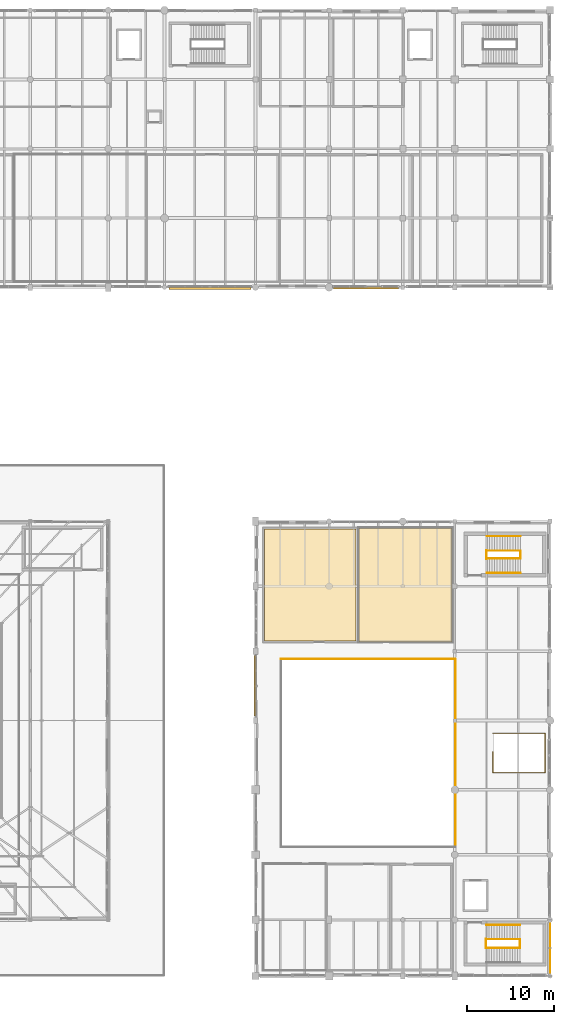
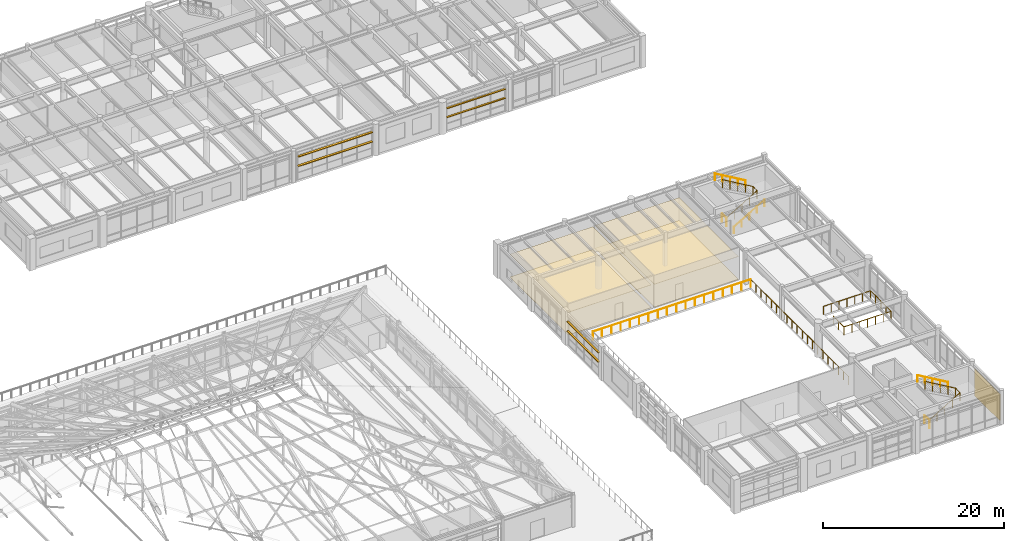
# One storey, part 167 of 168: 10 railings, 6 shading devices, 5 coverings.
"""IFC4 building model written with IfcOpenShell, lengths in metres."""

import ifcopenshell
import ifcopenshell.guid

model = None  # the IFC model being written
_history = None  # IfcOwnerHistory: only IFC2X3 demands one
_inside = {}  # id of a spatial element -> (the spatial element, [elements in it])
_under = {}  # id of a project, library or spatial element -> (it, [spatial elements below it])
_declared = {}  # id of a project -> (the project, [libraries it declares])
_typed = {}  # id of a type object -> (the type object, [elements of that type])
_made_of = {}  # id of a material, layer set ... -> (it, [elements and type objects made of it])


def new_model(schema):
    """Start an empty IFC model of exactly this schema.

    Asked for "IFC4X3", IfcOpenShell would pick the latest addendum, in which some entities
    have other attributes; the version numbers below select the first issue.
    IFC2X3 requires an IfcOwnerHistory on every rooted entity: one is made here for all.
    """
    global model, _history
    if schema == "IFC4X3":
        model = ifcopenshell.file(schema_version=(4, 3, 0, 0))
    else:
        model = ifcopenshell.file(schema=schema)
    _inside.clear()
    _under.clear()
    _declared.clear()
    _typed.clear()
    _made_of.clear()
    _history = None
    if model.schema == "IFC2X3":
        org = make("IfcOrganization", Name="unknown")
        user = make(
            "IfcPersonAndOrganization",
            ThePerson=make("IfcPerson", FamilyName="unknown"),
            TheOrganization=org,
        )
        app = make(
            "IfcApplication",
            ApplicationDeveloper=org,
            Version="unknown",
            ApplicationFullName="unknown",
            ApplicationIdentifier="unknown",
        )
        _history = make(
            "IfcOwnerHistory",
            OwningUser=user,
            OwningApplication=app,
            ChangeAction="ADDED",
            CreationDate=0,
        )
    return model


def make(cls, **values):
    """One entity of the class cls with the attributes given. An attribute that is None is left unset."""
    return model.create_entity(
        cls, **{name: value for name, value in values.items() if value is not None}
    )


def rooted(cls, **values):
    """An entity with a GlobalId (a new one), such as an element, a storey or a relation."""
    return make(cls, GlobalId=ifcopenshell.guid.new(), OwnerHistory=_history, **values)


def si_unit(unit_type, name, prefix=None):
    """IfcSIUnit, for example si_unit("LENGTHUNIT", "METRE", prefix="MILLI")."""
    return make("IfcSIUnit", UnitType=unit_type, Prefix=prefix, Name=name)


def assignment(units):
    """IfcUnitAssignment: the units of a project."""
    return None if units is None else make("IfcUnitAssignment", Units=units)


def point(xyz):
    """IfcCartesianPoint."""
    return None if xyz is None else make("IfcCartesianPoint", Coordinates=xyz)


def direction(xyz):
    """IfcDirection."""
    return None if xyz is None else make("IfcDirection", DirectionRatios=xyz)


def frame(location, z_axis=None, x_axis=None):
    """IfcAxis2Placement3D, a coordinate frame: its origin and axes. An axis left out is left unset."""
    return make(
        "IfcAxis2Placement3D",
        Location=point(location),
        Axis=direction(z_axis),
        RefDirection=direction(x_axis),
    )


def frame_2d(location, x_axis=None):
    """IfcAxis2Placement2D, a coordinate frame in the plane: its origin and x axis."""
    return make(
        "IfcAxis2Placement2D", Location=point(location), RefDirection=direction(x_axis)
    )


def origin():
    """The frame at (0, 0, 0) with its axes left unset."""
    return frame((0.0, 0.0, 0.0))


def origin_2d():
    """The frame at (0, 0) in the plane with its x axis left unset."""
    return frame_2d((0.0, 0.0))


def place(relative_to, where):
    """IfcLocalPlacement: puts the frame where relative to a parent placement (None: the world)."""
    return make(
        "IfcLocalPlacement", PlacementRelTo=relative_to, RelativePlacement=where
    )


def context(
    kind, dimensions, precision=None, world=None, true_north=None, identifier=None
):
    """IfcGeometricRepresentationContext, for example the 3D "Model" context."""
    return make(
        "IfcGeometricRepresentationContext",
        ContextIdentifier=identifier,
        ContextType=kind,
        CoordinateSpaceDimension=dimensions,
        Precision=precision,
        WorldCoordinateSystem=world,
        TrueNorth=true_north,
    )


def subcontext(parent, identifier, kind, view, scale=None):
    """IfcGeometricRepresentationSubContext, for example "Body" below "Model"."""
    return make(
        "IfcGeometricRepresentationSubContext",
        ContextIdentifier=identifier,
        ContextType=kind,
        ParentContext=parent,
        TargetScale=scale,
        TargetView=view,
    )


def project(units=None, contexts=None):
    """IfcProject with its units and contexts."""
    return rooted(
        "IfcProject",
        Name="project",
        RepresentationContexts=contexts,
        UnitsInContext=assignment(units),
    )


def spatial(cls, under=None, at=None, **own):
    """A site, building, storey or space (cls), placed at a placement, below another one or the project."""
    s = rooted(cls, ObjectPlacement=at, **own)
    if under is not None:
        _under.setdefault(under.id(), (under, []))[1].append(s)
    return s


def polyline(points):
    """IfcPolyline through the points."""
    return make("IfcPolyline", Points=[point(p) for p in points])


def profile(cls, at=None, kind="AREA", **sizes):
    """A parametric profile (cls). Its sizes go by their IFC names, for example OverallWidth=200.0."""
    return make(cls, ProfileType=kind, Position=at, **sizes)


def rectangle(**sizes):
    """IfcRectangleProfileDef."""
    return profile("IfcRectangleProfileDef", **sizes)


def circle(**sizes):
    """IfcCircleProfileDef."""
    return profile("IfcCircleProfileDef", **sizes)


def outline(outer, holes=None, kind="AREA"):
    """IfcArbitraryClosedProfileDef: a profile drawn as a closed curve; with holes, ...WithVoids."""
    if holes is None:
        return make("IfcArbitraryClosedProfileDef", ProfileType=kind, OuterCurve=outer)
    return make(
        "IfcArbitraryProfileDefWithVoids",
        ProfileType=kind,
        OuterCurve=outer,
        InnerCurves=holes,
    )


def extrude(swept, where, along, depth):
    """IfcExtrudedAreaSolid: the profile swept, set in the frame where, extruded along a direction by depth."""
    return make(
        "IfcExtrudedAreaSolid",
        SweptArea=swept,
        Position=where,
        ExtrudedDirection=direction(along),
        Depth=depth,
    )


def shape(context_of_items, identifier, shape_type, items):
    """IfcShapeRepresentation: the items that make up one representation, for example the "Body"."""
    return make(
        "IfcShapeRepresentation",
        ContextOfItems=context_of_items,
        RepresentationIdentifier=identifier,
        RepresentationType=shape_type,
        Items=items,
    )


def material(Name=None, Category=None):
    """IfcMaterial."""
    return make("IfcMaterial", Name=Name, Category=Category)


def layer(
    of_material, thickness, ventilated=None, Name=None, Category=None, Priority=None
):
    """IfcMaterialLayer: one layer of a wall or slab, of a material (None: an air gap)."""
    return make(
        "IfcMaterialLayer",
        Material=of_material,
        LayerThickness=thickness,
        IsVentilated=ventilated,
        Name=Name,
        Category=Category,
        Priority=Priority,
    )


def layer_set(layers, Name=None):
    """IfcMaterialLayerSet."""
    return make("IfcMaterialLayerSet", MaterialLayers=layers, LayerSetName=Name)


def made_of(thing, what):
    """Note that an element or type object is made of a material, layer set ...; save() writes the relation."""
    if what is not None:
        _made_of.setdefault(what.id(), (what, []))[1].append(thing)
    return thing


def type_object(cls, material=None, **own):
    """A type object (cls), such as IfcWallType, which elements share."""
    return made_of(rooted(cls, **own), material)


def element(
    cls,
    number,
    at=None,
    inside=None,
    cuts=None,
    type_object=None,
    material=None,
    context=None,
    identifier="Body",
    shape_type=None,
    held_by="IfcProductDefinitionShape",
    body=None,
    shapes=None,
    **own,
):
    """One element of the class cls, such as IfcWall. Its Tag is "e" and its number.

    at: its placement. inside: the storey or other place that contains it. cuts: it is an
    opening in that element (IfcRelVoidsElement). A single representation is given by context,
    identifier, shape_type and body (its items); several are given by shapes. held_by: the class
    of the entity that holds the representations. save() writes the other relations.
    """
    e = rooted(cls, Tag="e%d" % number, ObjectPlacement=at, **own)
    if body is not None:
        shapes = [shape(context, identifier, shape_type, body)]
    if shapes is not None:
        e.Representation = make(held_by, Representations=shapes)
    if inside is not None:
        _inside.setdefault(inside.id(), (inside, []))[1].append(e)
    if cuts is not None:
        rooted(
            "IfcRelVoidsElement", RelatingBuildingElement=cuts, RelatedOpeningElement=e
        )
    if type_object is not None:
        _typed.setdefault(type_object.id(), (type_object, []))[1].append(e)
    return made_of(e, material)


def aggregate(whole, parts):
    """IfcRelAggregates: a whole, such as a stair, and the parts it consists of."""
    return rooted("IfcRelAggregates", RelatingObject=whole, RelatedObjects=parts)


def save(model, path):
    """Write the relations noted so far, then the file.

    IfcRelAggregates (storeys below a building ...), IfcRelContainedInSpatialStructure (elements
    in a storey), IfcRelDefinesByType, IfcRelAssociatesMaterial and IfcRelDeclares: one each for
    every whole, place, type object, material and project.
    """
    for whole, parts in _under.values():
        aggregate(whole, parts)
    for where, things in _inside.values():
        rooted(
            "IfcRelContainedInSpatialStructure",
            RelatedElements=things,
            RelatingStructure=where,
        )
    for kind, things in _typed.values():
        rooted("IfcRelDefinesByType", RelatedObjects=things, RelatingType=kind)
    for what, things in _made_of.values():
        rooted("IfcRelAssociatesMaterial", RelatedObjects=things, RelatingMaterial=what)
    for by, libraries in _declared.values():
        rooted("IfcRelDeclares", RelatingContext=by, RelatedDefinitions=libraries)
    model.write(path)


model = new_model("IFC4")

# Units and contexts
model_context = context("Model", 3, precision=1e-05, world=origin(), true_north=direction((0.0, 1.0)))
body_context = subcontext(model_context, "Body", "Model", "MODEL_VIEW")
ifc_project = project(units=[si_unit("LENGTHUNIT", "METRE"), si_unit("AREAUNIT", "SQUARE_METRE"), si_unit("VOLUMEUNIT", "CUBIC_METRE"), si_unit("PLANEANGLEUNIT", "RADIAN"), si_unit("MASSUNIT", "GRAM", prefix="KILO"), si_unit("THERMODYNAMICTEMPERATUREUNIT", "KELVIN"), si_unit("POWERUNIT", "WATT")], contexts=[model_context])

# Site, building, storey
site_placement = place(None, origin())
site = spatial("IfcSite", under=ifc_project, at=site_placement, CompositionType="ELEMENT")
building_placement = place(site_placement, origin())
building = spatial("IfcBuilding", under=site, at=building_placement, Name="Tepalcoro Natatorium and Aquatics Centre", CompositionType="ELEMENT")
storey_placement = place(building_placement, frame((0.0, 0.0, 10.199951171875)))
storey = spatial("IfcBuildingStorey", under=building, at=storey_placement, Name="L02", CompositionType="ELEMENT", Elevation=10.199951171875)

# Railings
ifc_material_1 = material(Name="Bronze-Anodised Extruded Aluminium Alloy EN AW-6063 T6", Category="aluminium")
railing_type_1 = type_object("IfcRailingType", Name="BL_BRONZE_1100", PredefinedType="BALUSTRADE", material=ifc_material_1)
railing_1_placement = place(storey_placement, frame((165.080078125, 21.419921875, 0.0)))
element("IfcRailing", 1, at=railing_1_placement, inside=storey, type_object=railing_type_1, Name="V2 L02 Diving Well Gallery Balustrade (E)", PredefinedType="BALUSTRADE", context=body_context, shape_type="SweptSolid", body=[
    extrude(circle(Radius=0.02392578125, at=origin_2d()), frame((0.0, 0.0, 1.076171875), z_axis=(0.0, 1.0, 0.0), x_axis=(-1.0, 0.0, 0.0)), (0.0, 0.0, 1.0), 21.66015625),
    extrude(circle(Radius=0.02099609375, at=origin_2d()), origin(), (0.0, 0.0, 1.0), 1.052001953125),
    extrude(circle(Radius=0.02099609375, at=origin_2d()), frame((0.0, 1.139892578125, 0.0)), (0.0, 0.0, 1.0), 1.052001953125),
    extrude(circle(Radius=0.02099609375, at=origin_2d()), frame((0.0, 2.280029296875, 0.0)), (0.0, 0.0, 1.0), 1.052001953125),
    extrude(circle(Radius=0.02099609375, at=origin_2d()), frame((0.0, 3.419921875, 0.0)), (0.0, 0.0, 1.0), 1.052001953125),
    extrude(circle(Radius=0.02099609375, at=origin_2d()), frame((0.0, 4.56005859375, 0.0)), (0.0, 0.0, 1.0), 1.052001953125),
    extrude(circle(Radius=0.02099609375, at=origin_2d()), frame((0.0, 5.699951171875, 0.0)), (0.0, 0.0, 1.0), 1.052001953125),
    extrude(circle(Radius=0.02099609375, at=origin_2d()), frame((0.0, 6.840087890625, 0.0)), (0.0, 0.0, 1.0), 1.052001953125),
    extrude(circle(Radius=0.02099609375, at=origin_2d()), frame((0.0, 7.97998046875, 0.0)), (0.0, 0.0, 1.0), 1.052001953125),
    extrude(circle(Radius=0.02099609375, at=origin_2d()), frame((0.0, 9.1201171875, 0.0)), (0.0, 0.0, 1.0), 1.052001953125),
    extrude(circle(Radius=0.02099609375, at=origin_2d()), frame((0.0, 10.260009765625, 0.0)), (0.0, 0.0, 1.0), 1.052001953125),
    extrude(circle(Radius=0.02099609375, at=origin_2d()), frame((0.0, 11.400146484375, 0.0)), (0.0, 0.0, 1.0), 1.052001953125),
    extrude(circle(Radius=0.02099609375, at=origin_2d()), frame((0.0, 12.5400390625, 0.0)), (0.0, 0.0, 1.0), 1.052001953125),
    extrude(circle(Radius=0.02099609375, at=origin_2d()), frame((0.0, 13.68017578125, 0.0)), (0.0, 0.0, 1.0), 1.052001953125),
    extrude(circle(Radius=0.02099609375, at=origin_2d()), frame((0.0, 14.820068359375, 0.0)), (0.0, 0.0, 1.0), 1.052001953125),
    extrude(circle(Radius=0.02099609375, at=origin_2d()), frame((0.0, 15.960205078125, 0.0)), (0.0, 0.0, 1.0), 1.052001953125),
    extrude(circle(Radius=0.02099609375, at=origin_2d()), frame((0.0, 17.10009765625, 0.0)), (0.0, 0.0, 1.0), 1.052001953125),
    extrude(circle(Radius=0.02099609375, at=origin_2d()), frame((0.0, 18.240234375, 0.0)), (0.0, 0.0, 1.0), 1.052001953125),
    extrude(circle(Radius=0.02099609375, at=origin_2d()), frame((0.0, 19.380126953125, 0.0)), (0.0, 0.0, 1.0), 1.052001953125),
    extrude(circle(Radius=0.02099609375, at=origin_2d()), frame((0.0, 20.520263671875, 0.0)), (0.0, 0.0, 1.0), 1.052001953125),
    extrude(circle(Radius=0.02099609375, at=origin_2d()), frame((0.0, 21.66015625, 0.0)), (0.0, 0.0, 1.0), 1.052001953125),
])
railing_2_placement = place(storey_placement, frame((165.080078125, 43.080078125, 0.0)))
element("IfcRailing", 2, at=railing_2_placement, inside=storey, type_object=railing_type_1, Name="V2 L02 Diving Well Gallery Balustrade (N)", PredefinedType="BALUSTRADE", context=body_context, shape_type="SweptSolid", body=[
    extrude(circle(Radius=0.02392578125, at=origin_2d()), frame((0.0, 0.0, 1.076171875), z_axis=(-1.0, 0.0, 0.0), x_axis=(0.0, -1.0, 0.0)), (0.0, 0.0, 1.0), 20.16015625),
    extrude(circle(Radius=0.02099609375, at=origin_2d()), origin(), (0.0, 0.0, 1.0), 1.052001953125),
    extrude(circle(Radius=0.02099609375, at=origin_2d()), frame((-1.185791015625, 0.0, 0.0)), (0.0, 0.0, 1.0), 1.052001953125),
    extrude(circle(Radius=0.02099609375, at=origin_2d()), frame((-2.371826171875, 0.0, 0.0)), (0.0, 0.0, 1.0), 1.052001953125),
    extrude(circle(Radius=0.02099609375, at=origin_2d()), frame((-3.5576171875, 0.0, 0.0)), (0.0, 0.0, 1.0), 1.052001953125),
    extrude(circle(Radius=0.02099609375, at=origin_2d()), frame((-4.74365234375, 0.0, 0.0)), (0.0, 0.0, 1.0), 1.052001953125),
    extrude(circle(Radius=0.02099609375, at=origin_2d()), frame((-5.929443359375, 0.0, 0.0)), (0.0, 0.0, 1.0), 1.052001953125),
    extrude(circle(Radius=0.02099609375, at=origin_2d()), frame((-7.115234375, 0.0, 0.0)), (0.0, 0.0, 1.0), 1.052001953125),
    extrude(circle(Radius=0.02099609375, at=origin_2d()), frame((-8.30126953125, 0.0, 0.0)), (0.0, 0.0, 1.0), 1.052001953125),
    extrude(circle(Radius=0.02099609375, at=origin_2d()), frame((-9.487060546875, 0.0, 0.0)), (0.0, 0.0, 1.0), 1.052001953125),
    extrude(circle(Radius=0.02099609375, at=origin_2d()), frame((-10.673095703125, 0.0, 0.0)), (0.0, 0.0, 1.0), 1.052001953125),
    extrude(circle(Radius=0.02099609375, at=origin_2d()), frame((-11.85888671875, 0.0, 0.0)), (0.0, 0.0, 1.0), 1.052001953125),
    extrude(circle(Radius=0.02099609375, at=origin_2d()), frame((-13.044921875, 0.0, 0.0)), (0.0, 0.0, 1.0), 1.052001953125),
    extrude(circle(Radius=0.02099609375, at=origin_2d()), frame((-14.230712890625, 0.0, 0.0)), (0.0, 0.0, 1.0), 1.052001953125),
    extrude(circle(Radius=0.02099609375, at=origin_2d()), frame((-15.41650390625, 0.0, 0.0)), (0.0, 0.0, 1.0), 1.052001953125),
    extrude(circle(Radius=0.02099609375, at=origin_2d()), frame((-16.6025390625, 0.0, 0.0)), (0.0, 0.0, 1.0), 1.052001953125),
    extrude(circle(Radius=0.02099609375, at=origin_2d()), frame((-17.788330078125, 0.0, 0.0)), (0.0, 0.0, 1.0), 1.052001953125),
    extrude(circle(Radius=0.02099609375, at=origin_2d()), frame((-18.974365234375, 0.0, 0.0)), (0.0, 0.0, 1.0), 1.052001953125),
    extrude(circle(Radius=0.02099609375, at=origin_2d()), frame((-20.16015625, 0.0, 0.0)), (0.0, 0.0, 1.0), 1.052001953125),
])

# Coverings
ifc_material_2 = material(Name="Jalisco Cantera Rosa Volcanic Tuff Ashlar Masonry", Category="masonry")
ifc_layer_1 = layer(ifc_material_2, 0.050048828125)
ifc_layer_set_1 = layer_set([ifc_layer_1], Name="Jalisco Cantera Rosa Volcanic Tuff Ashlar Masonry")
covering_type_1 = type_object("IfcCoveringType", Name="CD_TERRACOTTA_50", PredefinedType="CLADDING", material=ifc_layer_set_1)
covering_1_placement = place(storey_placement, frame((176.02001953125, 9.72509765625, 0.10009765625), z_axis=(0.0, 0.0, 1.0), x_axis=(1.0, 0.0, 0.0)))
element("IfcCovering", 3, at=covering_1_placement, inside=storey, type_object=covering_type_1, Name="Volcanic Stone Facade Cladding CD_TERRACOTTA_50", PredefinedType="CLADDING", context=body_context, shape_type="SweptSolid", body=[
    extrude(rectangle(XDim=0.050048828125, YDim=5.64208984375, at=origin_2d()), origin(), (0.0, 0.0, 1.0), 3.614013671875),
])
ifc_material_3 = material(Name="Perforated Corrosion-Resistant Acoustic Aluminium Baffle Ceiling", Category="aluminium")
ifc_layer_2 = layer(ifc_material_3, 0.044921875)
ifc_layer_set_2 = layer_set([ifc_layer_2], Name="Perforated Corrosion-Resistant Acoustic Aluminium Baffle Ceiling")
covering_type_2 = type_object("IfcCoveringType", Name="CL_BAFFLE_120", PredefinedType="CEILING", material=ifc_layer_set_2)
covering_2_placement = place(storey_placement, frame((0.0, 0.0, 3.050048828125)))
element("IfcCovering", 4, at=covering_2_placement, inside=storey, type_object=covering_type_2, Name="Diving Sports Psychology & Quiet Focus Room Suspended Ceiling", PredefinedType="CEILING", context=body_context, shape_type="SweptSolid", body=[
    extrude(outline(polyline([(153.929931640625, 45.090087890625), (153.929931640625, 58.2099609375), (164.669921875, 58.2099609375), (164.669921875, 45.090087890625), (153.929931640625, 45.090087890625)])), origin(), (0.0, 0.0, 1.0), 0.044921875),
])
ifc_layer_3 = layer(ifc_material_3, 0.0400390625)
ifc_layer_set_3 = layer_set([ifc_layer_3], Name="Perforated Corrosion-Resistant Acoustic Aluminium Baffle Ceiling")
covering_type_3 = type_object("IfcCoveringType", Name="CL_PERF_AL_40", PredefinedType="CEILING", material=ifc_layer_set_3)
covering_3_placement = place(storey_placement, frame((0.0, 0.0, 3.050048828125)))
element("IfcCovering", 5, at=covering_3_placement, inside=storey, type_object=covering_type_3, Name="Platform Judges Elevated Sightline Lounge Suspended Ceiling", PredefinedType="CEILING", context=body_context, shape_type="SweptSolid", body=[
    extrude(outline(polyline([(143.010009765625, 45.169921875), (143.010009765625, 58.1298828125), (153.590087890625, 58.1298828125), (153.590087890625, 45.169921875), (143.010009765625, 45.169921875)])), origin(), (0.0, 0.0, 1.0), 0.0400390625),
])
ifc_material_4 = material(Name="Shock-Absorbing Vulcanised Athletic Rubber Flooring")
ifc_layer_4 = layer(ifc_material_4, 0.010009765625)
ifc_layer_set_4 = layer_set([ifc_layer_4], Name="Shock-Absorbing Vulcanised Athletic Rubber Flooring")
covering_type_4 = type_object("IfcCoveringType", Name="FL_CARPET_10", PredefinedType="FLOORING", material=ifc_layer_set_4)
covering_4_placement = place(storey_placement, origin())
element("IfcCovering", 6, at=covering_4_placement, inside=storey, type_object=covering_type_4, Name="Diving Sports Psychology & Quiet Focus Room Floor Finish", PredefinedType="FLOORING", context=body_context, shape_type="SweptSolid", body=[
    extrude(outline(polyline([(153.929931640625, 45.090087890625), (153.929931640625, 58.2099609375), (164.669921875, 58.2099609375), (164.669921875, 45.090087890625), (153.929931640625, 45.090087890625)])), origin(), (0.0, 0.0, 1.0), 0.010009765625),
])
ifc_material_5 = material(Name="Chemical-Resistant Quartz-Broadcast Epoxy Flooring")
ifc_layer_5 = layer(ifc_material_5, 0.008056640625)
ifc_layer_set_5 = layer_set([ifc_layer_5], Name="Chemical-Resistant Quartz-Broadcast Epoxy Flooring")
covering_type_5 = type_object("IfcCoveringType", Name="FL_EPOXY_8", PredefinedType="FLOORING", material=ifc_layer_set_5)
covering_5_placement = place(storey_placement, origin())
element("IfcCovering", 7, at=covering_5_placement, inside=storey, type_object=covering_type_5, Name="Platform Judges Elevated Sightline Lounge Floor Finish", PredefinedType="FLOORING", context=body_context, shape_type="SweptSolid", body=[
    extrude(outline(polyline([(143.010009765625, 45.169921875), (143.010009765625, 58.1298828125), (153.590087890625, 58.1298828125), (153.590087890625, 45.169921875), (143.010009765625, 45.169921875)])), origin(), (0.0, 0.0, 1.0), 0.008056640625),
])

# Railings
ifc_material_6 = material(Name="Marine-Grade Brushed Stainless Steel AISI 316L", Category="steel")
railing_type_2 = type_object("IfcRailingType", Name="RL_GLASS_1100", PredefinedType="GUARDRAIL", material=ifc_material_6)
railing_3_placement = place(storey_placement, frame((169.419921875, 32.35009765625, 0.0)))
element("IfcRailing", 8, at=railing_3_placement, inside=storey, type_object=railing_type_2, Name="ST25 Diving Stair L02 Well Guardrail", PredefinedType="GUARDRAIL", context=body_context, shape_type="SweptSolid", body=[
    extrude(circle(Radius=0.02392578125, at=origin_2d()), frame((0.0, 0.0, 1.09619140625), z_axis=(0.0, -1.0, 0.0), x_axis=(1.0, 0.0, 0.0)), (0.0, 0.0, 1.0), 2.380126953125),
    extrude(circle(Radius=0.02392578125, at=origin_2d()), frame((0.0, -2.380126953125, 1.09619140625), z_axis=(1.0, 0.0, 0.0), x_axis=(0.0, 1.0, 0.0)), (0.0, 0.0, 1.0), 6.010009765625),
    extrude(circle(Radius=0.02392578125, at=origin_2d()), frame((6.010009765625, -2.380126953125, 1.09619140625), z_axis=(0.0, 1.0, 0.0), x_axis=(-1.0, 0.0, 0.0)), (0.0, 0.0, 1.0), 4.56005859375),
    extrude(circle(Radius=0.02392578125, at=origin_2d()), frame((6.010009765625, 2.179931640625, 1.09619140625), z_axis=(-1.0, 0.0, 0.0), x_axis=(0.0, -1.0, 0.0)), (0.0, 0.0, 1.0), 6.010009765625),
    extrude(circle(Radius=0.02099609375, at=origin_2d()), origin(), (0.0, 0.0, 1.0), 1.072021484375),
    extrude(circle(Radius=0.02099609375, at=origin_2d()), frame((0.0, -1.18994140625, 0.0)), (0.0, 0.0, 1.0), 1.072021484375),
    extrude(circle(Radius=0.02099609375, at=origin_2d()), frame((0.0, -2.380126953125, 0.0)), (0.0, 0.0, 1.0), 1.072021484375),
    extrude(circle(Radius=0.02099609375, at=origin_2d()), frame((1.001708984375, -2.380126953125, 0.0)), (0.0, 0.0, 1.0), 1.072021484375),
    extrude(circle(Radius=0.02099609375, at=origin_2d()), frame((2.00341796875, -2.380126953125, 0.0)), (0.0, 0.0, 1.0), 1.072021484375),
    extrude(circle(Radius=0.02099609375, at=origin_2d()), frame((3.0048828125, -2.380126953125, 0.0)), (0.0, 0.0, 1.0), 1.072021484375),
    extrude(circle(Radius=0.02099609375, at=origin_2d()), frame((4.006591796875, -2.380126953125, 0.0)), (0.0, 0.0, 1.0), 1.072021484375),
    extrude(circle(Radius=0.02099609375, at=origin_2d()), frame((5.00830078125, -2.380126953125, 0.0)), (0.0, 0.0, 1.0), 1.072021484375),
    extrude(circle(Radius=0.02099609375, at=origin_2d()), frame((6.010009765625, -2.380126953125, 0.0)), (0.0, 0.0, 1.0), 1.072021484375),
    extrude(circle(Radius=0.02099609375, at=origin_2d()), frame((6.010009765625, -1.240234375, 0.0)), (0.0, 0.0, 1.0), 1.072021484375),
    extrude(circle(Radius=0.02099609375, at=origin_2d()), frame((6.010009765625, -0.10009765625, 0.0)), (0.0, 0.0, 1.0), 1.072021484375),
    extrude(circle(Radius=0.02099609375, at=origin_2d()), frame((6.010009765625, 1.0400390625, 0.0)), (0.0, 0.0, 1.0), 1.072021484375),
    extrude(circle(Radius=0.02099609375, at=origin_2d()), frame((6.010009765625, 2.179931640625, 0.0)), (0.0, 0.0, 1.0), 1.072021484375),
    extrude(circle(Radius=0.02099609375, at=origin_2d()), frame((5.00830078125, 2.179931640625, 0.0)), (0.0, 0.0, 1.0), 1.072021484375),
    extrude(circle(Radius=0.02099609375, at=origin_2d()), frame((4.006591796875, 2.179931640625, 0.0)), (0.0, 0.0, 1.0), 1.072021484375),
    extrude(circle(Radius=0.02099609375, at=origin_2d()), frame((3.0048828125, 2.179931640625, 0.0)), (0.0, 0.0, 1.0), 1.072021484375),
    extrude(circle(Radius=0.02099609375, at=origin_2d()), frame((2.00341796875, 2.179931640625, 0.0)), (0.0, 0.0, 1.0), 1.072021484375),
    extrude(circle(Radius=0.02099609375, at=origin_2d()), frame((1.001708984375, 2.179931640625, 0.0)), (0.0, 0.0, 1.0), 1.072021484375),
    extrude(circle(Radius=0.02099609375, at=origin_2d()), frame((0.0, 2.179931640625, 0.0)), (0.0, 0.0, 1.0), 1.072021484375),
])
railing_type_3 = type_object("IfcRailingType", Name="RL_HAND_900_BRZ", PredefinedType="HANDRAIL", material=ifc_material_1)
railing_4_placement = place(storey_placement, frame((172.550048828125, 12.419921875, 2.300048828125)))
element("IfcRailing", 9, at=railing_4_placement, inside=storey, type_object=railing_type_3, Name="ST03-L02 Wall Handrail F2", PredefinedType="HANDRAIL", context=body_context, shape_type="SweptSolid", body=[
    extrude(circle(Radius=0.02392578125, at=origin_2d()), frame((0.0, 0.0, 0.8759765625), z_axis=(-0.861369533088, 0.0, 0.507978865178), x_axis=(0.0, -1.0, 0.0)), (0.0, 0.0, 1.0), 4.52783203125),
    extrude(circle(Radius=0.02099609375, at=origin_2d()), origin(), (0.0, 0.0, 1.0), 0.851806640625),
    extrude(circle(Radius=0.02099609375, at=origin_2d()), frame((-0.97509765625, 0.0, 0.574951171875)), (0.0, 0.0, 1.0), 0.851806640625),
    extrude(circle(Radius=0.02099609375, at=origin_2d()), frame((-1.9501953125, 0.0, 1.14990234375)), (0.0, 0.0, 1.0), 0.851806640625),
    extrude(circle(Radius=0.02099609375, at=origin_2d()), frame((-2.925048828125, 0.0, 1.72509765625)), (0.0, 0.0, 1.0), 0.851806640625),
    extrude(circle(Radius=0.02099609375, at=origin_2d()), frame((-3.900146484375, 0.0, 2.300048828125)), (0.0, 0.0, 1.0), 0.851806640625),
])
railing_5_placement = place(storey_placement, frame((168.699951171875, 53.030029296875, 0.0)))
element("IfcRailing", 10, at=railing_5_placement, inside=storey, type_object=railing_type_3, Name="ST04-L02 Wall Handrail F1", PredefinedType="HANDRAIL", context=body_context, shape_type="SweptSolid", body=[
    extrude(circle(Radius=0.02392578125, at=origin_2d()), frame((0.0, 0.0, 0.8759765625), z_axis=(0.861369533088, 0.0, 0.507978865178), x_axis=(0.0, 1.0, 0.0)), (0.0, 0.0, 1.0), 4.52783203125),
    extrude(circle(Radius=0.02099609375, at=origin_2d()), origin(), (0.0, 0.0, 1.0), 0.851806640625),
    extrude(circle(Radius=0.02099609375, at=origin_2d()), frame((0.97509765625, 0.0, 0.574951171875)), (0.0, 0.0, 1.0), 0.851806640625),
    extrude(circle(Radius=0.02099609375, at=origin_2d()), frame((1.9501953125, 0.0, 1.14990234375)), (0.0, 0.0, 1.0), 0.851806640625),
    extrude(circle(Radius=0.02099609375, at=origin_2d()), frame((2.925048828125, 0.0, 1.72509765625)), (0.0, 0.0, 1.0), 0.851806640625),
    extrude(circle(Radius=0.02099609375, at=origin_2d()), frame((3.900146484375, 0.0, 2.300048828125)), (0.0, 0.0, 1.0), 0.851806640625),
])
railing_6_placement = place(storey_placement, frame((172.60009765625, 57.27001953125, 2.300048828125)))
element("IfcRailing", 11, at=railing_6_placement, inside=storey, type_object=railing_type_3, Name="ST04-L02 Wall Handrail F2", PredefinedType="HANDRAIL", context=body_context, shape_type="SweptSolid", body=[
    extrude(circle(Radius=0.02392578125, at=origin_2d()), frame((0.0, 0.0, 0.8759765625), z_axis=(-0.861369533088, 0.0, 0.507978865178), x_axis=(0.0, -1.0, 0.0)), (0.0, 0.0, 1.0), 4.52783203125),
    extrude(circle(Radius=0.02099609375, at=origin_2d()), origin(), (0.0, 0.0, 1.0), 0.851806640625),
    extrude(circle(Radius=0.02099609375, at=origin_2d()), frame((-0.97509765625, 0.0, 0.574951171875)), (0.0, 0.0, 1.0), 0.851806640625),
    extrude(circle(Radius=0.02099609375, at=origin_2d()), frame((-1.9501953125, 0.0, 1.14990234375)), (0.0, 0.0, 1.0), 0.851806640625),
    extrude(circle(Radius=0.02099609375, at=origin_2d()), frame((-2.925048828125, 0.0, 1.72509765625)), (0.0, 0.0, 1.0), 0.851806640625),
    extrude(circle(Radius=0.02099609375, at=origin_2d()), frame((-3.900146484375, 0.0, 2.300048828125)), (0.0, 0.0, 1.0), 0.851806640625),
])
railing_type_4 = type_object("IfcRailingType", Name="RL_SS_1100", PredefinedType="GUARDRAIL", material=ifc_material_6)
railing_7_placement = place(storey_placement, frame((168.64990234375, 9.75, 0.0)))
element("IfcRailing", 12, at=railing_7_placement, inside=storey, type_object=railing_type_4, Name="ST03-L02 Inner Stairwell Guardrail", PredefinedType="GUARDRAIL", context=body_context, shape_type="SweptSolid", body=[
    extrude(circle(Radius=0.02392578125, at=origin_2d()), frame((0.0, 0.0, 1.076171875), z_axis=(0.861369533088, 0.0, 0.507978865178), x_axis=(0.0, 1.0, 0.0)), (0.0, 0.0, 1.0), 4.52783203125),
    extrude(circle(Radius=0.02392578125, at=origin_2d()), frame((3.900146484375, 0.0, 3.3759765625), z_axis=(0.0, 1.0, 0.0), x_axis=(-1.0, 0.0, 0.0)), (0.0, 0.0, 1.0), 1.0),
    extrude(circle(Radius=0.02392578125, at=origin_2d()), frame((3.900146484375, 1.0, 3.3759765625), z_axis=(-0.861369533088, 0.0, 0.507978865178), x_axis=(0.0, -1.0, 0.0)), (0.0, 0.0, 1.0), 4.52783203125),
    extrude(circle(Radius=0.02099609375, at=origin_2d()), origin(), (0.0, 0.0, 1.0), 1.052001953125),
    extrude(circle(Radius=0.02099609375, at=origin_2d()), frame((0.97509765625, 0.0, 0.574951171875)), (0.0, 0.0, 1.0), 1.052001953125),
    extrude(circle(Radius=0.02099609375, at=origin_2d()), frame((1.9501953125, 0.0, 1.14990234375)), (0.0, 0.0, 1.0), 1.052001953125),
    extrude(circle(Radius=0.02099609375, at=origin_2d()), frame((2.925048828125, 0.0, 1.72509765625)), (0.0, 0.0, 1.0), 1.052001953125),
    extrude(circle(Radius=0.02099609375, at=origin_2d()), frame((3.900146484375, 0.0, 2.300048828125)), (0.0, 0.0, 1.0), 1.052001953125),
    extrude(circle(Radius=0.02099609375, at=origin_2d()), frame((3.900146484375, 1.0, 2.300048828125)), (0.0, 0.0, 1.0), 1.052001953125),
    extrude(circle(Radius=0.02099609375, at=origin_2d()), frame((2.925048828125, 1.0, 2.875)), (0.0, 0.0, 1.0), 1.052001953125),
    extrude(circle(Radius=0.02099609375, at=origin_2d()), frame((1.9501953125, 1.0, 3.4501953125)), (0.0, 0.0, 1.0), 1.052001953125),
    extrude(circle(Radius=0.02099609375, at=origin_2d()), frame((0.97509765625, 1.0, 4.025146484375)), (0.0, 0.0, 1.0), 1.052001953125),
    extrude(circle(Radius=0.02099609375, at=origin_2d()), frame((0.0, 1.0, 4.60009765625)), (0.0, 0.0, 1.0), 1.052001953125),
])
railing_8_placement = place(storey_placement, frame((168.6201171875, 9.7099609375, 0.0)))
element("IfcRailing", 13, at=railing_8_placement, inside=storey, type_object=railing_type_4, Name="ST03-L02 Landing Well Slot Guard", PredefinedType="GUARDRAIL", context=body_context, shape_type="SweptSolid", body=[
    extrude(circle(Radius=0.02392578125, at=origin_2d()), frame((0.0, 0.0, 1.076171875), z_axis=(0.0, 1.0, 0.0), x_axis=(-1.0, 0.0, 0.0)), (0.0, 0.0, 1.0), 1.080078125),
    extrude(circle(Radius=0.02099609375, at=origin_2d()), origin(), (0.0, 0.0, 1.0), 1.052001953125),
    extrude(circle(Radius=0.02099609375, at=origin_2d()), frame((0.0, 1.080078125, 0.0)), (0.0, 0.0, 1.0), 1.052001953125),
])
railing_9_placement = place(storey_placement, frame((168.699951171875, 54.699951171875, 0.0)))
element("IfcRailing", 14, at=railing_9_placement, inside=storey, type_object=railing_type_4, Name="ST04-L02 Inner Stairwell Guardrail", PredefinedType="GUARDRAIL", context=body_context, shape_type="SweptSolid", body=[
    extrude(circle(Radius=0.02392578125, at=origin_2d()), frame((0.0, 0.0, 1.076171875), z_axis=(0.861369533088, 0.0, 0.507978865178), x_axis=(0.0, 1.0, 0.0)), (0.0, 0.0, 1.0), 4.52783203125),
    extrude(circle(Radius=0.02392578125, at=origin_2d()), frame((3.900146484375, 0.0, 3.3759765625), z_axis=(0.0, 1.0, 0.0), x_axis=(-1.0, 0.0, 0.0)), (0.0, 0.0, 1.0), 0.900146484375),
    extrude(circle(Radius=0.02392578125, at=origin_2d()), frame((3.900146484375, 0.900146484375, 3.3759765625), z_axis=(-0.861369533088, 0.0, 0.507978865178), x_axis=(0.0, -1.0, 0.0)), (0.0, 0.0, 1.0), 4.52783203125),
    extrude(circle(Radius=0.02099609375, at=origin_2d()), origin(), (0.0, 0.0, 1.0), 1.052001953125),
    extrude(circle(Radius=0.02099609375, at=origin_2d()), frame((0.97509765625, 0.0, 0.574951171875)), (0.0, 0.0, 1.0), 1.052001953125),
    extrude(circle(Radius=0.02099609375, at=origin_2d()), frame((1.9501953125, 0.0, 1.14990234375)), (0.0, 0.0, 1.0), 1.052001953125),
    extrude(circle(Radius=0.02099609375, at=origin_2d()), frame((2.925048828125, 0.0, 1.72509765625)), (0.0, 0.0, 1.0), 1.052001953125),
    extrude(circle(Radius=0.02099609375, at=origin_2d()), frame((3.900146484375, 0.0, 2.300048828125)), (0.0, 0.0, 1.0), 1.052001953125),
    extrude(circle(Radius=0.02099609375, at=origin_2d()), frame((3.900146484375, 0.900146484375, 2.300048828125)), (0.0, 0.0, 1.0), 1.052001953125),
    extrude(circle(Radius=0.02099609375, at=origin_2d()), frame((2.925048828125, 0.900146484375, 2.875)), (0.0, 0.0, 1.0), 1.052001953125),
    extrude(circle(Radius=0.02099609375, at=origin_2d()), frame((1.9501953125, 0.900146484375, 3.4501953125)), (0.0, 0.0, 1.0), 1.052001953125),
    extrude(circle(Radius=0.02099609375, at=origin_2d()), frame((0.97509765625, 0.900146484375, 4.025146484375)), (0.0, 0.0, 1.0), 1.052001953125),
    extrude(circle(Radius=0.02099609375, at=origin_2d()), frame((0.0, 0.900146484375, 4.60009765625)), (0.0, 0.0, 1.0), 1.052001953125),
])
railing_10_placement = place(storey_placement, frame((168.669921875, 54.659912109375, 0.0)))
element("IfcRailing", 15, at=railing_10_placement, inside=storey, type_object=railing_type_4, Name="ST04-L02 Landing Well Slot Guard", PredefinedType="GUARDRAIL", context=body_context, shape_type="SweptSolid", body=[
    extrude(circle(Radius=0.02392578125, at=origin_2d()), frame((0.0, 0.0, 1.076171875), z_axis=(0.0, 1.0, 0.0), x_axis=(-1.0, 0.0, 0.0)), (0.0, 0.0, 1.0), 0.97998046875),
    extrude(circle(Radius=0.02099609375, at=origin_2d()), origin(), (0.0, 0.0, 1.0), 1.052001953125),
    extrude(circle(Radius=0.02099609375, at=origin_2d()), frame((0.0, 0.97998046875, 0.0)), (0.0, 0.0, 1.0), 1.052001953125),
])

# Shading devices
shading_device_type_1 = type_object("IfcShadingDeviceType", Name="SHD_FIN_BRONZE", PredefinedType="SHUTTER", material=ifc_material_1)
for number, where, z_axis, x_axis, name in (
    (16, (136.75, 85.90625, 1.949462890625), (0.0, 0.0, 1.0), (1.0, 0.0, 0.0), "Solar Shading Brise-Soleil SHD_FIN_BRONZE"),
    (17, (136.75, 85.90625, 3.219970703125), (0.0, 0.0, 1.0), (1.0, 0.0, 0.0), "Solar Shading Brise-Soleil SHD_FIN_BRONZE"),
):
    element("IfcShadingDevice", number, at=place(storey_placement, frame(where, z_axis=z_axis, x_axis=x_axis)), inside=storey, type_object=shading_device_type_1, Name=name, PredefinedType="SHUTTER", context=body_context, shape_type="SweptSolid", body=[
        extrude(rectangle(XDim=9.4599609375, YDim=0.300048828125, at=origin_2d()), origin(), (0.0, 0.0, 1.0), 0.080078125),
    ])
shading_device_type_2 = type_object("IfcShadingDeviceType", Name="SHD_LOUVRE_AL", PredefinedType="JALOUSIE", material=ifc_material_1)
for number, where, z_axis, x_axis, name in (
    (18, (141.936279296875, 40.0, 1.951416015625), (0.0, 0.0, 1.0), (1.0, 0.0, 0.0), "Solar Shading Brise-Soleil SHD_LOUVRE_AL"),
    (19, (141.936279296875, 40.0, 3.22412109375), (0.0, 0.0, 1.0), (1.0, 0.0, 0.0), "Solar Shading Brise-Soleil SHD_LOUVRE_AL"),
):
    element("IfcShadingDevice", number, at=place(storey_placement, frame(where, z_axis=z_axis, x_axis=x_axis)), inside=storey, type_object=shading_device_type_2, Name=name, PredefinedType="JALOUSIE", context=body_context, shape_type="SweptSolid", body=[
        extrude(rectangle(XDim=0.239990234375, YDim=6.9599609375, at=origin_2d()), origin(), (0.0, 0.0, 1.0), 0.080078125),
    ])
for number, where, z_axis, x_axis, name in (
    (20, (154.75, 85.936279296875, 1.861572265625), (0.0, 0.0, 1.0), (1.0, 0.0, 0.0), "Solar Shading Brise-Soleil SHD_LOUVRE_AL"),
    (21, (154.75, 85.936279296875, 3.068115234375), (0.0, 0.0, 1.0), (1.0, 0.0, 0.0), "Solar Shading Brise-Soleil SHD_LOUVRE_AL"),
):
    element("IfcShadingDevice", number, at=place(storey_placement, frame(where, z_axis=z_axis, x_axis=x_axis)), inside=storey, type_object=shading_device_type_2, Name=name, PredefinedType="JALOUSIE", context=body_context, shape_type="SweptSolid", body=[
        extrude(rectangle(XDim=7.4599609375, YDim=0.239990234375, at=origin_2d()), origin(), (0.0, 0.0, 1.0), 0.080078125),
    ])

save(model, "model.ifc")
